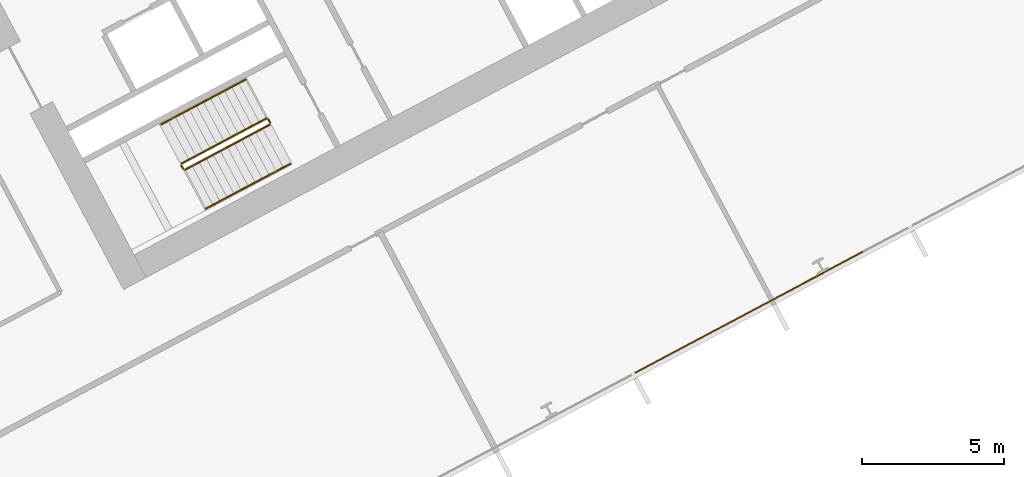
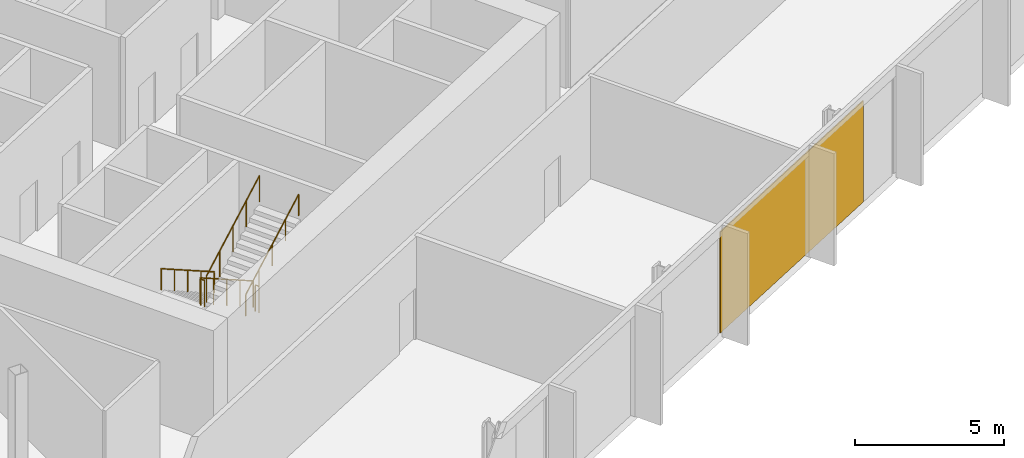
# One storey, part 26 of 30: 6 railings, 1 covering, 1 element without a shape of its own.
"""IFC4 building model written with IfcOpenShell, lengths in metres."""

import ifcopenshell
import ifcopenshell.guid

model = None  # the IFC model being written
_history = None  # IfcOwnerHistory: only IFC2X3 demands one
_inside = {}  # id of a spatial element -> (the spatial element, [elements in it])
_under = {}  # id of a project, library or spatial element -> (it, [spatial elements below it])
_declared = {}  # id of a project -> (the project, [libraries it declares])
_typed = {}  # id of a type object -> (the type object, [elements of that type])
_made_of = {}  # id of a material, layer set ... -> (it, [elements and type objects made of it])


def new_model(schema):
    """Start an empty IFC model of exactly this schema.

    Asked for "IFC4X3", IfcOpenShell would pick the latest addendum, in which some entities
    have other attributes; the version numbers below select the first issue.
    IFC2X3 requires an IfcOwnerHistory on every rooted entity: one is made here for all.
    """
    global model, _history
    if schema == "IFC4X3":
        model = ifcopenshell.file(schema_version=(4, 3, 0, 0))
    else:
        model = ifcopenshell.file(schema=schema)
    _inside.clear()
    _under.clear()
    _declared.clear()
    _typed.clear()
    _made_of.clear()
    _history = None
    if model.schema == "IFC2X3":
        org = make("IfcOrganization", Name="unknown")
        user = make(
            "IfcPersonAndOrganization",
            ThePerson=make("IfcPerson", FamilyName="unknown"),
            TheOrganization=org,
        )
        app = make(
            "IfcApplication",
            ApplicationDeveloper=org,
            Version="unknown",
            ApplicationFullName="unknown",
            ApplicationIdentifier="unknown",
        )
        _history = make(
            "IfcOwnerHistory",
            OwningUser=user,
            OwningApplication=app,
            ChangeAction="ADDED",
            CreationDate=0,
        )
    return model


def make(cls, **values):
    """One entity of the class cls with the attributes given. An attribute that is None is left unset."""
    return model.create_entity(
        cls, **{name: value for name, value in values.items() if value is not None}
    )


def rooted(cls, **values):
    """An entity with a GlobalId (a new one), such as an element, a storey or a relation."""
    return make(cls, GlobalId=ifcopenshell.guid.new(), OwnerHistory=_history, **values)


def si_unit(unit_type, name, prefix=None):
    """IfcSIUnit, for example si_unit("LENGTHUNIT", "METRE", prefix="MILLI")."""
    return make("IfcSIUnit", UnitType=unit_type, Prefix=prefix, Name=name)


def assignment(units):
    """IfcUnitAssignment: the units of a project."""
    return None if units is None else make("IfcUnitAssignment", Units=units)


def point(xyz):
    """IfcCartesianPoint."""
    return None if xyz is None else make("IfcCartesianPoint", Coordinates=xyz)


def direction(xyz):
    """IfcDirection."""
    return None if xyz is None else make("IfcDirection", DirectionRatios=xyz)


def frame(location, z_axis=None, x_axis=None):
    """IfcAxis2Placement3D, a coordinate frame: its origin and axes. An axis left out is left unset."""
    return make(
        "IfcAxis2Placement3D",
        Location=point(location),
        Axis=direction(z_axis),
        RefDirection=direction(x_axis),
    )


def frame_2d(location, x_axis=None):
    """IfcAxis2Placement2D, a coordinate frame in the plane: its origin and x axis."""
    return make(
        "IfcAxis2Placement2D", Location=point(location), RefDirection=direction(x_axis)
    )


def origin():
    """The frame at (0, 0, 0) with its axes left unset."""
    return frame((0.0, 0.0, 0.0))


def origin_2d():
    """The frame at (0, 0) in the plane with its x axis left unset."""
    return frame_2d((0.0, 0.0))


def place(relative_to, where):
    """IfcLocalPlacement: puts the frame where relative to a parent placement (None: the world)."""
    return make(
        "IfcLocalPlacement", PlacementRelTo=relative_to, RelativePlacement=where
    )


def context(
    kind, dimensions, precision=None, world=None, true_north=None, identifier=None
):
    """IfcGeometricRepresentationContext, for example the 3D "Model" context."""
    return make(
        "IfcGeometricRepresentationContext",
        ContextIdentifier=identifier,
        ContextType=kind,
        CoordinateSpaceDimension=dimensions,
        Precision=precision,
        WorldCoordinateSystem=world,
        TrueNorth=true_north,
    )


def subcontext(parent, identifier, kind, view, scale=None):
    """IfcGeometricRepresentationSubContext, for example "Body" below "Model"."""
    return make(
        "IfcGeometricRepresentationSubContext",
        ContextIdentifier=identifier,
        ContextType=kind,
        ParentContext=parent,
        TargetScale=scale,
        TargetView=view,
    )


def project(units=None, contexts=None):
    """IfcProject with its units and contexts."""
    return rooted(
        "IfcProject",
        Name="project",
        RepresentationContexts=contexts,
        UnitsInContext=assignment(units),
    )


def spatial(cls, under=None, at=None, **own):
    """A site, building, storey or space (cls), placed at a placement, below another one or the project."""
    s = rooted(cls, ObjectPlacement=at, **own)
    if under is not None:
        _under.setdefault(under.id(), (under, []))[1].append(s)
    return s


def polyline(points):
    """IfcPolyline through the points."""
    return make("IfcPolyline", Points=[point(p) for p in points])


def profile(cls, at=None, kind="AREA", **sizes):
    """A parametric profile (cls). Its sizes go by their IFC names, for example OverallWidth=200.0."""
    return make(cls, ProfileType=kind, Position=at, **sizes)


def rectangle(**sizes):
    """IfcRectangleProfileDef."""
    return profile("IfcRectangleProfileDef", **sizes)


def outline(outer, holes=None, kind="AREA"):
    """IfcArbitraryClosedProfileDef: a profile drawn as a closed curve; with holes, ...WithVoids."""
    if holes is None:
        return make("IfcArbitraryClosedProfileDef", ProfileType=kind, OuterCurve=outer)
    return make(
        "IfcArbitraryProfileDefWithVoids",
        ProfileType=kind,
        OuterCurve=outer,
        InnerCurves=holes,
    )


def extrude(swept, where, along, depth):
    """IfcExtrudedAreaSolid: the profile swept, set in the frame where, extruded along a direction by depth."""
    return make(
        "IfcExtrudedAreaSolid",
        SweptArea=swept,
        Position=where,
        ExtrudedDirection=direction(along),
        Depth=depth,
    )


def shape(context_of_items, identifier, shape_type, items):
    """IfcShapeRepresentation: the items that make up one representation, for example the "Body"."""
    return make(
        "IfcShapeRepresentation",
        ContextOfItems=context_of_items,
        RepresentationIdentifier=identifier,
        RepresentationType=shape_type,
        Items=items,
    )


def material(Name=None, Category=None):
    """IfcMaterial."""
    return make("IfcMaterial", Name=Name, Category=Category)


def layer(
    of_material, thickness, ventilated=None, Name=None, Category=None, Priority=None
):
    """IfcMaterialLayer: one layer of a wall or slab, of a material (None: an air gap)."""
    return make(
        "IfcMaterialLayer",
        Material=of_material,
        LayerThickness=thickness,
        IsVentilated=ventilated,
        Name=Name,
        Category=Category,
        Priority=Priority,
    )


def layer_set(layers, Name=None):
    """IfcMaterialLayerSet."""
    return make("IfcMaterialLayerSet", MaterialLayers=layers, LayerSetName=Name)


def made_of(thing, what):
    """Note that an element or type object is made of a material, layer set ...; save() writes the relation."""
    if what is not None:
        _made_of.setdefault(what.id(), (what, []))[1].append(thing)
    return thing


def type_object(cls, material=None, **own):
    """A type object (cls), such as IfcWallType, which elements share."""
    return made_of(rooted(cls, **own), material)


def element(
    cls,
    number,
    at=None,
    inside=None,
    cuts=None,
    type_object=None,
    material=None,
    context=None,
    identifier="Body",
    shape_type=None,
    held_by="IfcProductDefinitionShape",
    body=None,
    shapes=None,
    **own,
):
    """One element of the class cls, such as IfcWall. Its Tag is "e" and its number.

    at: its placement. inside: the storey or other place that contains it. cuts: it is an
    opening in that element (IfcRelVoidsElement). A single representation is given by context,
    identifier, shape_type and body (its items); several are given by shapes. held_by: the class
    of the entity that holds the representations. save() writes the other relations.
    """
    e = rooted(cls, Tag="e%d" % number, ObjectPlacement=at, **own)
    if body is not None:
        shapes = [shape(context, identifier, shape_type, body)]
    if shapes is not None:
        e.Representation = make(held_by, Representations=shapes)
    if inside is not None:
        _inside.setdefault(inside.id(), (inside, []))[1].append(e)
    if cuts is not None:
        rooted(
            "IfcRelVoidsElement", RelatingBuildingElement=cuts, RelatedOpeningElement=e
        )
    if type_object is not None:
        _typed.setdefault(type_object.id(), (type_object, []))[1].append(e)
    return made_of(e, material)


def aggregate(whole, parts):
    """IfcRelAggregates: a whole, such as a stair, and the parts it consists of."""
    return rooted("IfcRelAggregates", RelatingObject=whole, RelatedObjects=parts)


def save(model, path):
    """Write the relations noted so far, then the file.

    IfcRelAggregates (storeys below a building ...), IfcRelContainedInSpatialStructure (elements
    in a storey), IfcRelDefinesByType, IfcRelAssociatesMaterial and IfcRelDeclares: one each for
    every whole, place, type object, material and project.
    """
    for whole, parts in _under.values():
        aggregate(whole, parts)
    for where, things in _inside.values():
        rooted(
            "IfcRelContainedInSpatialStructure",
            RelatedElements=things,
            RelatingStructure=where,
        )
    for kind, things in _typed.values():
        rooted("IfcRelDefinesByType", RelatedObjects=things, RelatingType=kind)
    for what, things in _made_of.values():
        rooted("IfcRelAssociatesMaterial", RelatedObjects=things, RelatingMaterial=what)
    for by, libraries in _declared.values():
        rooted("IfcRelDeclares", RelatingContext=by, RelatedDefinitions=libraries)
    model.write(path)


model = new_model("IFC4")

# Units and contexts
model_context = context("Model", 3, precision=1e-05, world=origin(), true_north=direction((0.0, 1.0)))
body_context = subcontext(model_context, "Body", "Model", "MODEL_VIEW")
ifc_project = project(units=[si_unit("LENGTHUNIT", "METRE"), si_unit("AREAUNIT", "SQUARE_METRE"), si_unit("VOLUMEUNIT", "CUBIC_METRE"), si_unit("PLANEANGLEUNIT", "RADIAN"), si_unit("MASSUNIT", "GRAM", prefix="KILO")], contexts=[model_context])

# Site, building, storey
site_placement = place(None, origin())
site = spatial("IfcSite", under=ifc_project, at=site_placement, CompositionType="ELEMENT")
building_placement = place(site_placement, origin())
building = spatial("IfcBuilding", under=site, at=building_placement, Name="Cormorant Relay Tower", CompositionType="ELEMENT")
storey_placement = place(building_placement, frame((0.0, 0.0, 89.199951171875)))
storey = spatial("IfcBuildingStorey", under=building, at=storey_placement, Name="L17", CompositionType="ELEMENT", Elevation=89.199951171875)

# Curtain wall, covering
ifc_material_1 = material(Name="Aluminium 6063-T6 anodised bronze", Category="aluminium")
ifc_layer_1 = layer(ifc_material_1, 0.199951171875)
ifc_layer_set_1 = layer_set([ifc_layer_1], Name="CW1 unitised bronze curtain wall with vertical fins")
curtain_wall_type = type_object("IfcCurtainWallType", Name="CW1 unitised bronze curtain wall with vertical fins", PredefinedType="NOTDEFINED", material=ifc_layer_set_1)
curtain_wall_placement = place(storey_placement, origin())
curtain_wall = element("IfcCurtainWall", 1, at=curtain_wall_placement, inside=storey, type_object=curtain_wall_type, Name="CW1 curtain wall 2", PredefinedType="NOTDEFINED")
ifc_material_2 = material(Name="Pale bronze anodised aluminium insulated panel", Category="aluminium")
ifc_layer_2 = layer(ifc_material_2, 0.0400390625)
ifc_layer_set_2 = layer_set([ifc_layer_2], Name="CW1 pale bronze insulated panel 40")
covering_type = type_object("IfcCoveringType", Name="CW1 pale bronze insulated panel 40", PredefinedType="CLADDING", material=ifc_layer_set_2)
covering_placement = place(storey_placement, frame((40.797119140625, -2.114501953125, 0.0), z_axis=(0.0, 0.0, 1.0), x_axis=(0.882947592859, 0.469471562786, 0.0)))
covering = element("IfcCovering", 2, at=covering_placement, type_object=covering_type, Name="CW1 panel S07", PredefinedType="CLADDING", context=body_context, shape_type="SweptSolid", body=[
    extrude(rectangle(XDim=9.07373046875, YDim=0.0400390625, at=origin_2d()), origin(), (0.0, 0.0, 1.0), 4.14990234375),
])
aggregate(curtain_wall, [covering])

# Railings
ifc_material_3 = material(Name="Steel ASTM A572 Grade 50 (Fy 345 MPa)", Category="steel")
railing_type_1 = type_object("IfcRailingType", Name="Stair guard 1100", PredefinedType="GUARDRAIL", material=ifc_material_3)
railing_1_placement = place(storey_placement, frame((23.83837890625, 4.6904296875, 0.177001953125)))
element("IfcRailing", 3, at=railing_1_placement, inside=storey, type_object=railing_type_1, Name="L17 B1 stair guard 1", PredefinedType="GUARDRAIL", context=body_context, shape_type="SweptSolid", body=[
    extrude(outline(polyline([(0.022216796875, 0.00927734375), (0.00927734375, 0.022216796875), (-0.00927734375, 0.022216796875), (-0.022216796875, 0.00927734375), (-0.022216796875, -0.00927734375), (-0.00927734375, -0.022216796875), (0.00927734375, -0.022216796875), (0.022216796875, -0.00927734375), (0.022216796875, 0.00927734375)])), frame((0.0, 0.0, 1.076171875), z_axis=(-0.746440668329, -0.396869088057, 0.534154711306), x_axis=(0.46945269911, -0.882957622595, 0.0)), (0.0, 0.0, 1.0), 3.974609375),
    extrude(outline(polyline([(0.019287109375, 0.008056640625), (0.008056640625, 0.019287109375), (-0.008056640625, 0.019287109375), (-0.019287109375, 0.008056640625), (-0.019287109375, -0.008056640625), (-0.008056640625, -0.019287109375), (0.008056640625, -0.019287109375), (0.019287109375, -0.008056640625), (0.019287109375, 0.008056640625)])), origin(), (0.0, 0.0, 1.0), 1.052001953125),
    extrude(outline(polyline([(0.019287109375, 0.008056640625), (0.008056640625, 0.019287109375), (-0.008056640625, 0.019287109375), (-0.019287109375, 0.008056640625), (-0.019287109375, -0.008056640625), (-0.008056640625, -0.019287109375), (0.008056640625, -0.019287109375), (0.019287109375, -0.008056640625), (0.019287109375, 0.008056640625)])), frame((-0.74169921875, -0.394287109375, 0.53076171875)), (0.0, 0.0, 1.0), 1.052001953125),
    extrude(outline(polyline([(0.019287109375, 0.008056640625), (0.008056640625, 0.019287109375), (-0.008056640625, 0.019287109375), (-0.019287109375, 0.008056640625), (-0.019287109375, -0.008056640625), (-0.008056640625, -0.019287109375), (0.008056640625, -0.019287109375), (0.019287109375, -0.008056640625), (0.019287109375, 0.008056640625)])), frame((-1.4833984375, -0.78857421875, 1.0615234375)), (0.0, 0.0, 1.0), 1.052001953125),
    extrude(outline(polyline([(0.019287109375, 0.008056640625), (0.008056640625, 0.019287109375), (-0.008056640625, 0.019287109375), (-0.019287109375, 0.008056640625), (-0.019287109375, -0.008056640625), (-0.008056640625, -0.019287109375), (0.008056640625, -0.019287109375), (0.019287109375, -0.008056640625), (0.019287109375, 0.008056640625)])), frame((-2.22509765625, -1.18310546875, 1.59228515625)), (0.0, 0.0, 1.0), 1.052001953125),
    extrude(outline(polyline([(0.019287109375, 0.008056640625), (0.008056640625, 0.019287109375), (-0.008056640625, 0.019287109375), (-0.019287109375, 0.008056640625), (-0.019287109375, -0.008056640625), (-0.008056640625, -0.019287109375), (0.008056640625, -0.019287109375), (0.019287109375, -0.008056640625), (0.019287109375, 0.008056640625)])), frame((-2.966796875, -1.577392578125, 2.123046875)), (0.0, 0.0, 1.0), 1.052001953125),
])
railing_2_placement = place(storey_placement, frame((20.850830078125, 3.04541015625, 2.300048828125)))
element("IfcRailing", 4, at=railing_2_placement, inside=storey, type_object=railing_type_1, Name="L17 B1 stair guard 2", PredefinedType="GUARDRAIL", context=body_context, shape_type="SweptSolid", body=[
    extrude(outline(polyline([(0.022216796875, 0.00927734375), (0.00927734375, 0.022216796875), (-0.00927734375, 0.022216796875), (-0.022216796875, 0.00927734375), (-0.022216796875, -0.00927734375), (-0.00927734375, -0.022216796875), (0.00927734375, -0.022216796875), (0.022216796875, -0.00927734375), (0.022216796875, 0.00927734375)])), frame((0.0, 0.0, 1.076171875), z_axis=(0.469828648786, -0.882757634224, 0.0), x_axis=(0.882757634224, 0.469828648786, 0.0)), (0.0, 0.0, 1.0), 0.150146484375),
    extrude(outline(polyline([(0.019287109375, 0.008056640625), (0.008056640625, 0.019287109375), (-0.008056640625, 0.019287109375), (-0.019287109375, 0.008056640625), (-0.019287109375, -0.008056640625), (-0.008056640625, -0.019287109375), (0.008056640625, -0.019287109375), (0.019287109375, -0.008056640625), (0.019287109375, 0.008056640625)])), origin(), (0.0, 0.0, 1.0), 1.052001953125),
    extrude(outline(polyline([(0.019287109375, 0.008056640625), (0.008056640625, 0.019287109375), (-0.008056640625, 0.019287109375), (-0.019287109375, 0.008056640625), (-0.019287109375, -0.008056640625), (-0.008056640625, -0.019287109375), (0.008056640625, -0.019287109375), (0.019287109375, -0.008056640625), (0.019287109375, 0.008056640625)])), frame((0.070556640625, -0.132568359375, 0.0)), (0.0, 0.0, 1.0), 1.052001953125),
])
railing_3_placement = place(storey_placement, frame((20.989013671875, 2.892333984375, 2.47705078125)))
element("IfcRailing", 5, at=railing_3_placement, inside=storey, type_object=railing_type_1, Name="L17 B1 stair guard 3", PredefinedType="GUARDRAIL", context=body_context, shape_type="SweptSolid", body=[
    extrude(outline(polyline([(0.022216796875, 0.00927734375), (0.00927734375, 0.022216796875), (-0.00927734375, 0.022216796875), (-0.022216796875, 0.00927734375), (-0.022216796875, -0.00927734375), (-0.00927734375, -0.022216796875), (0.00927734375, -0.022216796875), (0.022216796875, -0.00927734375), (0.022216796875, 0.00927734375)])), frame((0.0, 0.0, 1.076171875), z_axis=(0.746413465702, 0.396887285154, 0.534179203172), x_axis=(-0.469482818608, 0.88294160794, 0.0)), (0.0, 0.0, 1.0), 3.974365234375),
    extrude(outline(polyline([(0.019287109375, 0.008056640625), (0.008056640625, 0.019287109375), (-0.008056640625, 0.019287109375), (-0.019287109375, 0.008056640625), (-0.019287109375, -0.008056640625), (-0.008056640625, -0.019287109375), (0.008056640625, -0.019287109375), (0.019287109375, -0.008056640625), (0.019287109375, 0.008056640625)])), origin(), (0.0, 0.0, 1.0), 1.052001953125),
    extrude(outline(polyline([(0.019287109375, 0.008056640625), (0.008056640625, 0.019287109375), (-0.008056640625, 0.019287109375), (-0.019287109375, 0.008056640625), (-0.019287109375, -0.008056640625), (-0.008056640625, -0.019287109375), (0.008056640625, -0.019287109375), (0.019287109375, -0.008056640625), (0.019287109375, 0.008056640625)])), frame((0.74169921875, 0.394287109375, 0.53076171875)), (0.0, 0.0, 1.0), 1.052001953125),
    extrude(outline(polyline([(0.019287109375, 0.008056640625), (0.008056640625, 0.019287109375), (-0.008056640625, 0.019287109375), (-0.019287109375, 0.008056640625), (-0.019287109375, -0.008056640625), (-0.008056640625, -0.019287109375), (0.008056640625, -0.019287109375), (0.019287109375, -0.008056640625), (0.019287109375, 0.008056640625)])), frame((1.4833984375, 0.78857421875, 1.0615234375)), (0.0, 0.0, 1.0), 1.052001953125),
    extrude(outline(polyline([(0.019287109375, 0.008056640625), (0.008056640625, 0.019287109375), (-0.008056640625, 0.019287109375), (-0.019287109375, 0.008056640625), (-0.019287109375, -0.008056640625), (-0.008056640625, -0.019287109375), (0.008056640625, -0.019287109375), (0.019287109375, -0.008056640625), (0.019287109375, 0.008056640625)])), frame((2.224853515625, 1.18310546875, 1.59228515625)), (0.0, 0.0, 1.0), 1.052001953125),
    extrude(outline(polyline([(0.019287109375, 0.008056640625), (0.008056640625, 0.019287109375), (-0.008056640625, 0.019287109375), (-0.019287109375, 0.008056640625), (-0.019287109375, -0.008056640625), (-0.008056640625, -0.019287109375), (0.008056640625, -0.019287109375), (0.019287109375, -0.008056640625), (0.019287109375, 0.008056640625)])), frame((2.966552734375, 1.577392578125, 2.123046875)), (0.0, 0.0, 1.0), 1.052001953125),
])
railing_4_placement = place(storey_placement, frame((23.906005859375, 4.669677734375, 0.0)))
element("IfcRailing", 6, at=railing_4_placement, inside=storey, type_object=railing_type_1, Name="L17 B1 stair guard 4", PredefinedType="GUARDRAIL", context=body_context, shape_type="SweptSolid", body=[
    extrude(outline(polyline([(0.022216796875, 0.00927734375), (0.00927734375, 0.022216796875), (-0.00927734375, 0.022216796875), (-0.022216796875, 0.00927734375), (-0.022216796875, -0.00927734375), (-0.00927734375, -0.022216796875), (0.00927734375, -0.022216796875), (0.022216796875, -0.00927734375), (0.022216796875, 0.00927734375)])), frame((0.0, 0.0, 1.076171875), z_axis=(0.469234640946, -0.883073525669, 0.0), x_axis=(0.883073525669, 0.469234640946, 0.0)), (0.0, 0.0, 1.0), 0.14990234375),
    extrude(outline(polyline([(0.019287109375, 0.008056640625), (0.008056640625, 0.019287109375), (-0.008056640625, 0.019287109375), (-0.019287109375, 0.008056640625), (-0.019287109375, -0.008056640625), (-0.008056640625, -0.019287109375), (0.008056640625, -0.019287109375), (0.019287109375, -0.008056640625), (0.019287109375, 0.008056640625)])), origin(), (0.0, 0.0, 1.0), 1.052001953125),
    extrude(outline(polyline([(0.019287109375, 0.008056640625), (0.008056640625, 0.019287109375), (-0.008056640625, 0.019287109375), (-0.019287109375, 0.008056640625), (-0.019287109375, -0.008056640625), (-0.008056640625, -0.019287109375), (0.008056640625, -0.019287109375), (0.019287109375, -0.008056640625), (0.019287109375, 0.008056640625)])), frame((0.0703125, -0.13232421875, 0.0)), (0.0, 0.0, 1.0), 1.052001953125),
])
ifc_material_4 = material(Name="Steel ASTM A572 Grade 50 (Fy 345 MPa)", Category="steel")
railing_type_2 = type_object("IfcRailingType", Name="Stair handrail 900", PredefinedType="HANDRAIL", material=ifc_material_4)
railing_5_placement = place(storey_placement, frame((23.110595703125, 6.05908203125, 0.177001953125)))
element("IfcRailing", 7, at=railing_5_placement, inside=storey, type_object=railing_type_2, Name="L17 B1 stair handrail 1", PredefinedType="HANDRAIL", context=body_context, shape_type="SweptSolid", body=[
    extrude(outline(polyline([(0.022216796875, 0.00927734375), (0.00927734375, 0.022216796875), (-0.00927734375, 0.022216796875), (-0.022216796875, 0.00927734375), (-0.022216796875, -0.00927734375), (-0.00927734375, -0.022216796875), (0.00927734375, -0.022216796875), (0.022216796875, -0.00927734375), (0.022216796875, 0.00927734375)])), frame((0.0, 0.0, 0.8759765625), z_axis=(-0.746413465702, -0.396887285154, 0.534179203172), x_axis=(0.469482818608, -0.88294160794, 0.0)), (0.0, 0.0, 1.0), 3.974365234375),
    extrude(outline(polyline([(0.019287109375, 0.008056640625), (0.008056640625, 0.019287109375), (-0.008056640625, 0.019287109375), (-0.019287109375, 0.008056640625), (-0.019287109375, -0.008056640625), (-0.008056640625, -0.019287109375), (0.008056640625, -0.019287109375), (0.019287109375, -0.008056640625), (0.019287109375, 0.008056640625)])), origin(), (0.0, 0.0, 1.0), 0.851806640625),
    extrude(outline(polyline([(0.019287109375, 0.008056640625), (0.008056640625, 0.019287109375), (-0.008056640625, 0.019287109375), (-0.019287109375, 0.008056640625), (-0.019287109375, -0.008056640625), (-0.008056640625, -0.019287109375), (0.008056640625, -0.019287109375), (0.019287109375, -0.008056640625), (0.019287109375, 0.008056640625)])), frame((-0.74169921875, -0.394287109375, 0.53076171875)), (0.0, 0.0, 1.0), 0.851806640625),
    extrude(outline(polyline([(0.019287109375, 0.008056640625), (0.008056640625, 0.019287109375), (-0.008056640625, 0.019287109375), (-0.019287109375, 0.008056640625), (-0.019287109375, -0.008056640625), (-0.008056640625, -0.019287109375), (0.008056640625, -0.019287109375), (0.019287109375, -0.008056640625), (0.019287109375, 0.008056640625)])), frame((-1.4833984375, -0.78857421875, 1.0615234375)), (0.0, 0.0, 1.0), 0.851806640625),
    extrude(outline(polyline([(0.019287109375, 0.008056640625), (0.008056640625, 0.019287109375), (-0.008056640625, 0.019287109375), (-0.019287109375, 0.008056640625), (-0.019287109375, -0.008056640625), (-0.008056640625, -0.019287109375), (0.008056640625, -0.019287109375), (0.019287109375, -0.008056640625), (0.019287109375, 0.008056640625)])), frame((-2.224853515625, -1.18310546875, 1.59228515625)), (0.0, 0.0, 1.0), 0.851806640625),
    extrude(outline(polyline([(0.019287109375, 0.008056640625), (0.008056640625, 0.019287109375), (-0.008056640625, 0.019287109375), (-0.019287109375, 0.008056640625), (-0.019287109375, -0.008056640625), (-0.008056640625, -0.019287109375), (0.008056640625, -0.019287109375), (0.019287109375, -0.008056640625), (0.019287109375, 0.008056640625)])), frame((-2.966552734375, -1.577392578125, 2.123046875)), (0.0, 0.0, 1.0), 0.851806640625),
])
railing_6_placement = place(storey_placement, frame((21.716552734375, 1.523681640625, 2.47705078125)))
element("IfcRailing", 8, at=railing_6_placement, inside=storey, type_object=railing_type_2, Name="L17 B1 stair handrail 2", PredefinedType="HANDRAIL", context=body_context, shape_type="SweptSolid", body=[
    extrude(outline(polyline([(0.022216796875, 0.00927734375), (0.00927734375, 0.022216796875), (-0.00927734375, 0.022216796875), (-0.022216796875, 0.00927734375), (-0.022216796875, -0.00927734375), (-0.00927734375, -0.022216796875), (0.00927734375, -0.022216796875), (0.022216796875, -0.00927734375), (0.022216796875, 0.00927734375)])), frame((0.0, 0.0, 0.8759765625), z_axis=(0.746440668329, 0.396869088057, 0.534154711306), x_axis=(-0.46945269911, 0.882957622595, 0.0)), (0.0, 0.0, 1.0), 3.974609375),
    extrude(outline(polyline([(0.019287109375, 0.008056640625), (0.008056640625, 0.019287109375), (-0.008056640625, 0.019287109375), (-0.019287109375, 0.008056640625), (-0.019287109375, -0.008056640625), (-0.008056640625, -0.019287109375), (0.008056640625, -0.019287109375), (0.019287109375, -0.008056640625), (0.019287109375, 0.008056640625)])), origin(), (0.0, 0.0, 1.0), 0.851806640625),
    extrude(outline(polyline([(0.019287109375, 0.008056640625), (0.008056640625, 0.019287109375), (-0.008056640625, 0.019287109375), (-0.019287109375, 0.008056640625), (-0.019287109375, -0.008056640625), (-0.008056640625, -0.019287109375), (0.008056640625, -0.019287109375), (0.019287109375, -0.008056640625), (0.019287109375, 0.008056640625)])), frame((0.74169921875, 0.394287109375, 0.53076171875)), (0.0, 0.0, 1.0), 0.851806640625),
    extrude(outline(polyline([(0.019287109375, 0.008056640625), (0.008056640625, 0.019287109375), (-0.008056640625, 0.019287109375), (-0.019287109375, 0.008056640625), (-0.019287109375, -0.008056640625), (-0.008056640625, -0.019287109375), (0.008056640625, -0.019287109375), (0.019287109375, -0.008056640625), (0.019287109375, 0.008056640625)])), frame((1.4833984375, 0.78857421875, 1.0615234375)), (0.0, 0.0, 1.0), 0.851806640625),
    extrude(outline(polyline([(0.019287109375, 0.008056640625), (0.008056640625, 0.019287109375), (-0.008056640625, 0.019287109375), (-0.019287109375, 0.008056640625), (-0.019287109375, -0.008056640625), (-0.008056640625, -0.019287109375), (0.008056640625, -0.019287109375), (0.019287109375, -0.008056640625), (0.019287109375, 0.008056640625)])), frame((2.22509765625, 1.18310546875, 1.59228515625)), (0.0, 0.0, 1.0), 0.851806640625),
    extrude(outline(polyline([(0.019287109375, 0.008056640625), (0.008056640625, 0.019287109375), (-0.008056640625, 0.019287109375), (-0.019287109375, 0.008056640625), (-0.019287109375, -0.008056640625), (-0.008056640625, -0.019287109375), (0.008056640625, -0.019287109375), (0.019287109375, -0.008056640625), (0.019287109375, 0.008056640625)])), frame((2.966796875, 1.577392578125, 2.123046875)), (0.0, 0.0, 1.0), 0.851806640625),
])

save(model, "model.ifc")
